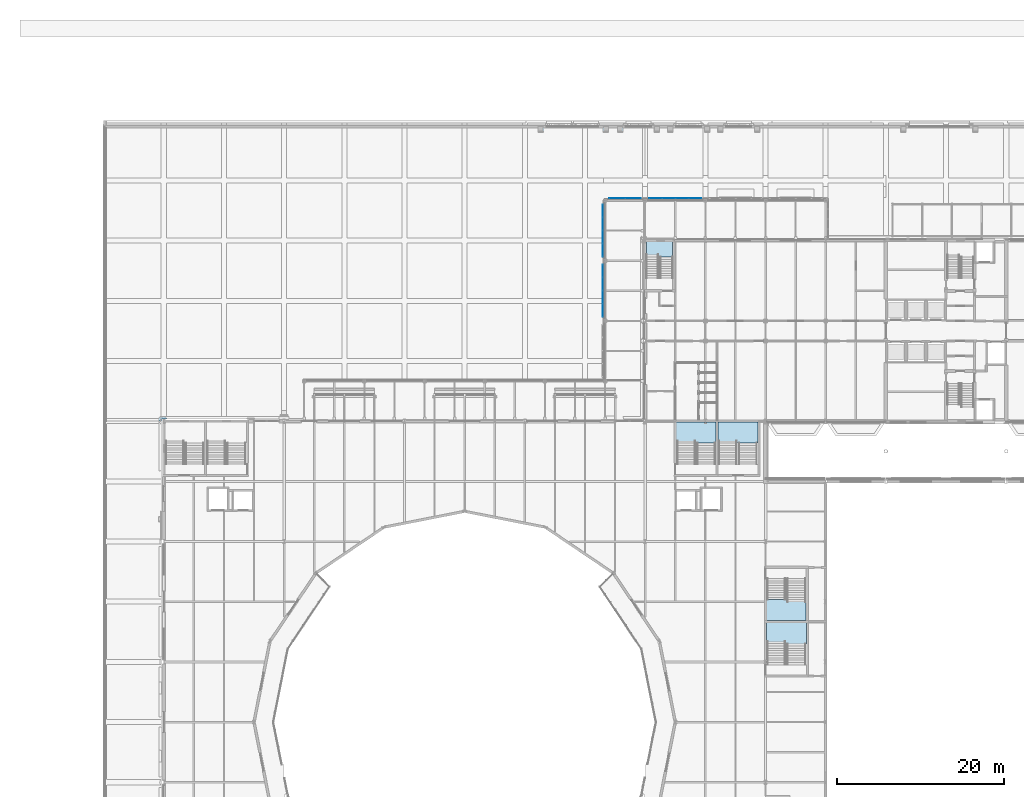
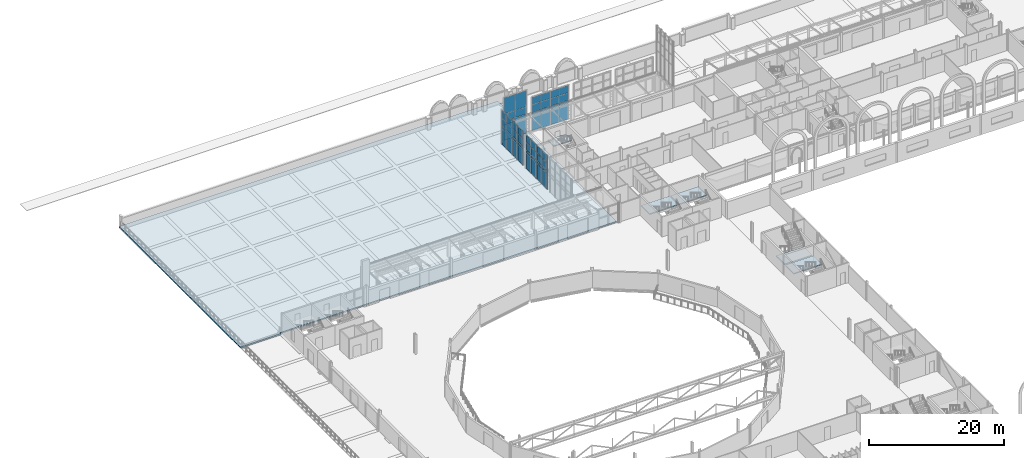
# One storey, part 65 of 143: 56 plates, 6 slabs, 9 elements without a shape of their own.
"""IFC4 building model written with IfcOpenShell, lengths in metres."""

from ifc_helpers import new_model, si_unit, direction, frame, origin, origin_2d, place, context, subcontext, project, spatial, polyline, rectangle, outline, extrude, material, layer, layer_set, type_object, element, aggregate, save


model = new_model("IFC4")

# Units and contexts
model_context = context("Model", 3, precision=1e-05, world=origin(), true_north=direction((0.0, 1.0)))
body_context = subcontext(model_context, "Body", "Model", "MODEL_VIEW")
ifc_project = project(units=[si_unit("LENGTHUNIT", "METRE"), si_unit("AREAUNIT", "SQUARE_METRE"), si_unit("VOLUMEUNIT", "CUBIC_METRE"), si_unit("PLANEANGLEUNIT", "RADIAN"), si_unit("MASSUNIT", "GRAM", prefix="KILO")], contexts=[model_context])

# Site, building, storey
site_placement = place(None, origin())
site = spatial("IfcSite", under=ifc_project, at=site_placement, CompositionType="ELEMENT")
building_placement = place(site_placement, origin())
building = spatial("IfcBuilding", under=site, at=building_placement, Name="Kupolbacken Congress Centre", CompositionType="ELEMENT")
storey_placement = place(building_placement, frame((0.0, 0.0, 7.199951171875)))
storey = spatial("IfcBuildingStorey", under=building, at=storey_placement, Name="L02", CompositionType="ELEMENT", Elevation=7.199951171875)

# Slab
ifc_material_1 = material(Name="Concrete C30/37", Category="concrete")
ifc_layer_1 = layer(ifc_material_1, 0.22998046875)
ifc_layer_set_1 = layer_set([ifc_layer_1], Name="Concrete C30/37")
slab_type_1 = type_object("IfcSlabType", Name="BS1 slab 230", PredefinedType="BASESLAB", material=ifc_layer_set_1)
slab_1_placement = place(storey_placement, frame((0.0, 0.0, -0.22998046875)))
element("IfcSlab", 1, at=slab_1_placement, inside=storey, type_object=slab_type_1, Name="S/platform/FORECOURT", PredefinedType="BASESLAB", context=body_context, shape_type="SweptSolid", body=[
    extrude(outline(polyline([(64.800048828125, 158.39892578125), (0.0009765625, 158.39892578125), (0.0009765625, 122.39990234375), (6.925048828125, 122.39990234375), (6.925048828125, 122.675048828125), (64.52490234375, 122.675048828125), (64.52490234375, 144.27490234375), (64.800048828125, 144.27490234375), (64.800048828125, 158.39892578125)])), origin(), (0.0, 0.0, 1.0), 0.22998046875),
])

# Curtain wall, plates
ifc_material_2 = material(Name="Aluminium mullion-transom frame with glass", Category="aluminium")
curtain_wall_type = type_object("IfcCurtainWallType", Name="CW1 curtain wall 7200x3600", PredefinedType="NOTDEFINED", material=ifc_material_2)
curtain_wall_1_placement = place(storey_placement, origin())
curtain_wall_1 = element("IfcCurtainWall", 2, at=curtain_wall_1_placement, inside=storey, type_object=curtain_wall_type, Name="E/T/portal/N/screen60/cw", PredefinedType="NOTDEFINED")
ifc_material_3 = material(Name="Glass", Category="glass")
ifc_layer_2 = layer(ifc_material_3, 0.035888671875)
ifc_layer_set_2 = layer_set([ifc_layer_2], Name="Glass")
plate_type = type_object("IfcPlateType", Name="GL2 glass panel 36", PredefinedType="CURTAIN_PANEL", material=ifc_layer_set_2)
plate_1_placement = place(storey_placement, frame((63.362548828125, 149.074951171875, 0.05029296875), z_axis=(0.0, 0.0, 1.0), x_axis=(-1.0, 0.0, 0.0)))
plate_1 = element("IfcPlate", 3, at=plate_1_placement, type_object=plate_type, Name="CW1 panel 1.1", PredefinedType="CURTAIN_PANEL", context=body_context, shape_type="SweptSolid", body=[
    extrude(rectangle(XDim=1.875, YDim=0.035888671875, at=origin_2d()), origin(), (0.0, 0.0, 1.0), 2.824951171875),
])
plate_2_placement = place(storey_placement, frame((63.362548828125, 149.074951171875, 2.925048828125), z_axis=(0.0, 0.0, 1.0), x_axis=(-1.0, 0.0, 0.0)))
plate_2 = element("IfcPlate", 4, at=plate_2_placement, type_object=plate_type, Name="CW1 panel 1.2", PredefinedType="CURTAIN_PANEL", context=body_context, shape_type="SweptSolid", body=[
    extrude(rectangle(XDim=1.875, YDim=0.035888671875, at=origin_2d()), origin(), (0.0, 0.0, 1.0), 0.5),
])
plate_3_placement = place(storey_placement, frame((63.362548828125, 149.074951171875, 3.47509765625), z_axis=(0.0, 0.0, 1.0), x_axis=(-1.0, 0.0, 0.0)))
plate_3 = element("IfcPlate", 5, at=plate_3_placement, type_object=plate_type, Name="CW1 panel 1.3", PredefinedType="CURTAIN_PANEL", context=body_context, shape_type="SweptSolid", body=[
    extrude(rectangle(XDim=1.875, YDim=0.035888671875, at=origin_2d()), origin(), (0.0, 0.0, 1.0), 1.300048828125),
])
plate_4_placement = place(storey_placement, frame((63.362548828125, 149.074951171875, 4.8251953125), z_axis=(0.0, 0.0, 1.0), x_axis=(-1.0, 0.0, 0.0)))
plate_4 = element("IfcPlate", 6, at=plate_4_placement, type_object=plate_type, Name="CW1 panel 1.4", PredefinedType="CURTAIN_PANEL", context=body_context, shape_type="SweptSolid", body=[
    extrude(rectangle(XDim=1.875, YDim=0.035888671875, at=origin_2d()), origin(), (0.0, 0.0, 1.0), 2.925048828125),
])
plate_5_placement = place(storey_placement, frame((61.4375, 149.074951171875, 0.05029296875), z_axis=(0.0, 0.0, 1.0), x_axis=(-1.0, 0.0, 0.0)))
plate_5 = element("IfcPlate", 7, at=plate_5_placement, type_object=plate_type, Name="CW1 panel 2.1", PredefinedType="CURTAIN_PANEL", context=body_context, shape_type="SweptSolid", body=[
    extrude(rectangle(XDim=1.875, YDim=0.035888671875, at=origin_2d()), origin(), (0.0, 0.0, 1.0), 2.824951171875),
])
plate_6_placement = place(storey_placement, frame((61.4375, 149.074951171875, 2.925048828125), z_axis=(0.0, 0.0, 1.0), x_axis=(-1.0, 0.0, 0.0)))
plate_6 = element("IfcPlate", 8, at=plate_6_placement, type_object=plate_type, Name="CW1 panel 2.2", PredefinedType="CURTAIN_PANEL", context=body_context, shape_type="SweptSolid", body=[
    extrude(rectangle(XDim=1.875, YDim=0.035888671875, at=origin_2d()), origin(), (0.0, 0.0, 1.0), 0.5),
])
plate_7_placement = place(storey_placement, frame((61.4375, 149.074951171875, 3.47509765625), z_axis=(0.0, 0.0, 1.0), x_axis=(-1.0, 0.0, 0.0)))
plate_7 = element("IfcPlate", 9, at=plate_7_placement, type_object=plate_type, Name="CW1 panel 2.3", PredefinedType="CURTAIN_PANEL", context=body_context, shape_type="SweptSolid", body=[
    extrude(rectangle(XDim=1.875, YDim=0.035888671875, at=origin_2d()), origin(), (0.0, 0.0, 1.0), 1.300048828125),
])
plate_8_placement = place(storey_placement, frame((61.4375, 149.074951171875, 4.8251953125), z_axis=(0.0, 0.0, 1.0), x_axis=(-1.0, 0.0, 0.0)))
plate_8 = element("IfcPlate", 10, at=plate_8_placement, type_object=plate_type, Name="CW1 panel 2.4", PredefinedType="CURTAIN_PANEL", context=body_context, shape_type="SweptSolid", body=[
    extrude(rectangle(XDim=1.875, YDim=0.035888671875, at=origin_2d()), origin(), (0.0, 0.0, 1.0), 2.925048828125),
])
aggregate(curtain_wall_1, [plate_1, plate_2, plate_3, plate_4, plate_5, plate_6, plate_7, plate_8])

curtain_wall_2_placement = place(storey_placement, origin())
curtain_wall_2 = element("IfcCurtainWall", 11, at=curtain_wall_2_placement, inside=storey, type_object=curtain_wall_type, Name="E/T/portal/N/screen64.8/cw", PredefinedType="NOTDEFINED")
plate_9_placement = place(storey_placement, frame((70.75, 149.074951171875, 0.05029296875), z_axis=(0.0, 0.0, 1.0), x_axis=(-1.0, 0.0, 0.0)))
plate_9 = element("IfcPlate", 12, at=plate_9_placement, type_object=plate_type, Name="CW1 panel 1.1", PredefinedType="CURTAIN_PANEL", context=body_context, shape_type="SweptSolid", body=[
    extrude(rectangle(XDim=1.5, YDim=0.035888671875, at=origin_2d()), origin(), (0.0, 0.0, 1.0), 2.824951171875),
])
plate_10_placement = place(storey_placement, frame((70.75, 149.074951171875, 2.925048828125), z_axis=(0.0, 0.0, 1.0), x_axis=(-1.0, 0.0, 0.0)))
plate_10 = element("IfcPlate", 13, at=plate_10_placement, type_object=plate_type, Name="CW1 panel 1.2", PredefinedType="CURTAIN_PANEL", context=body_context, shape_type="SweptSolid", body=[
    extrude(rectangle(XDim=1.5, YDim=0.035888671875, at=origin_2d()), origin(), (0.0, 0.0, 1.0), 0.5),
])
plate_11_placement = place(storey_placement, frame((70.75, 149.074951171875, 3.47509765625), z_axis=(0.0, 0.0, 1.0), x_axis=(-1.0, 0.0, 0.0)))
plate_11 = element("IfcPlate", 14, at=plate_11_placement, type_object=plate_type, Name="CW1 panel 1.3", PredefinedType="CURTAIN_PANEL", context=body_context, shape_type="SweptSolid", body=[
    extrude(rectangle(XDim=1.5, YDim=0.035888671875, at=origin_2d()), origin(), (0.0, 0.0, 1.0), 1.300048828125),
])
plate_12_placement = place(storey_placement, frame((70.75, 149.074951171875, 4.8251953125), z_axis=(0.0, 0.0, 1.0), x_axis=(-1.0, 0.0, 0.0)))
plate_12 = element("IfcPlate", 15, at=plate_12_placement, type_object=plate_type, Name="CW1 panel 1.4", PredefinedType="CURTAIN_PANEL", context=body_context, shape_type="SweptSolid", body=[
    extrude(rectangle(XDim=1.5, YDim=0.035888671875, at=origin_2d()), origin(), (0.0, 0.0, 1.0), 1.324951171875),
])
plate_13_placement = place(storey_placement, frame((69.1875, 149.074951171875, 0.05029296875), z_axis=(0.0, 0.0, 1.0), x_axis=(-1.0, 0.0, 0.0)))
plate_13 = element("IfcPlate", 16, at=plate_13_placement, type_object=plate_type, Name="CW1 panel 2.1", PredefinedType="CURTAIN_PANEL", context=body_context, shape_type="SweptSolid", body=[
    extrude(rectangle(XDim=1.52490234375, YDim=0.035888671875, at=origin_2d()), origin(), (0.0, 0.0, 1.0), 2.824951171875),
])
plate_14_placement = place(storey_placement, frame((69.1875, 149.074951171875, 2.925048828125), z_axis=(0.0, 0.0, 1.0), x_axis=(-1.0, 0.0, 0.0)))
plate_14 = element("IfcPlate", 17, at=plate_14_placement, type_object=plate_type, Name="CW1 panel 2.2", PredefinedType="CURTAIN_PANEL", context=body_context, shape_type="SweptSolid", body=[
    extrude(rectangle(XDim=1.52490234375, YDim=0.035888671875, at=origin_2d()), origin(), (0.0, 0.0, 1.0), 0.5),
])
plate_15_placement = place(storey_placement, frame((69.1875, 149.074951171875, 3.47509765625), z_axis=(0.0, 0.0, 1.0), x_axis=(-1.0, 0.0, 0.0)))
plate_15 = element("IfcPlate", 18, at=plate_15_placement, type_object=plate_type, Name="CW1 panel 2.3", PredefinedType="CURTAIN_PANEL", context=body_context, shape_type="SweptSolid", body=[
    extrude(rectangle(XDim=1.52490234375, YDim=0.035888671875, at=origin_2d()), origin(), (0.0, 0.0, 1.0), 1.300048828125),
])
plate_16_placement = place(storey_placement, frame((69.1875, 149.074951171875, 4.8251953125), z_axis=(0.0, 0.0, 1.0), x_axis=(-1.0, 0.0, 0.0)))
plate_16 = element("IfcPlate", 19, at=plate_16_placement, type_object=plate_type, Name="CW1 panel 2.4", PredefinedType="CURTAIN_PANEL", context=body_context, shape_type="SweptSolid", body=[
    extrude(rectangle(XDim=1.52490234375, YDim=0.035888671875, at=origin_2d()), origin(), (0.0, 0.0, 1.0), 1.324951171875),
])
plate_17_placement = place(storey_placement, frame((67.612548828125, 149.074951171875, 0.05029296875), z_axis=(0.0, 0.0, 1.0), x_axis=(-1.0, 0.0, 0.0)))
plate_17 = element("IfcPlate", 20, at=plate_17_placement, type_object=plate_type, Name="CW1 panel 3.1", PredefinedType="CURTAIN_PANEL", context=body_context, shape_type="SweptSolid", body=[
    extrude(rectangle(XDim=1.52490234375, YDim=0.035888671875, at=origin_2d()), origin(), (0.0, 0.0, 1.0), 2.824951171875),
])
plate_18_placement = place(storey_placement, frame((67.612548828125, 149.074951171875, 2.925048828125), z_axis=(0.0, 0.0, 1.0), x_axis=(-1.0, 0.0, 0.0)))
plate_18 = element("IfcPlate", 21, at=plate_18_placement, type_object=plate_type, Name="CW1 panel 3.2", PredefinedType="CURTAIN_PANEL", context=body_context, shape_type="SweptSolid", body=[
    extrude(rectangle(XDim=1.52490234375, YDim=0.035888671875, at=origin_2d()), origin(), (0.0, 0.0, 1.0), 0.5),
])
plate_19_placement = place(storey_placement, frame((67.612548828125, 149.074951171875, 3.47509765625), z_axis=(0.0, 0.0, 1.0), x_axis=(-1.0, 0.0, 0.0)))
plate_19 = element("IfcPlate", 22, at=plate_19_placement, type_object=plate_type, Name="CW1 panel 3.3", PredefinedType="CURTAIN_PANEL", context=body_context, shape_type="SweptSolid", body=[
    extrude(rectangle(XDim=1.52490234375, YDim=0.035888671875, at=origin_2d()), origin(), (0.0, 0.0, 1.0), 1.300048828125),
])
plate_20_placement = place(storey_placement, frame((67.612548828125, 149.074951171875, 4.8251953125), z_axis=(0.0, 0.0, 1.0), x_axis=(-1.0, 0.0, 0.0)))
plate_20 = element("IfcPlate", 23, at=plate_20_placement, type_object=plate_type, Name="CW1 panel 3.4", PredefinedType="CURTAIN_PANEL", context=body_context, shape_type="SweptSolid", body=[
    extrude(rectangle(XDim=1.52490234375, YDim=0.035888671875, at=origin_2d()), origin(), (0.0, 0.0, 1.0), 1.324951171875),
])
plate_21_placement = place(storey_placement, frame((66.050048828125, 149.074951171875, 0.05029296875), z_axis=(0.0, 0.0, 1.0), x_axis=(-1.0, 0.0, 0.0)))
plate_21 = element("IfcPlate", 24, at=plate_21_placement, type_object=plate_type, Name="CW1 panel 4.1", PredefinedType="CURTAIN_PANEL", context=body_context, shape_type="SweptSolid", body=[
    extrude(rectangle(XDim=1.5, YDim=0.035888671875, at=origin_2d()), origin(), (0.0, 0.0, 1.0), 2.824951171875),
])
plate_22_placement = place(storey_placement, frame((66.050048828125, 149.074951171875, 2.925048828125), z_axis=(0.0, 0.0, 1.0), x_axis=(-1.0, 0.0, 0.0)))
plate_22 = element("IfcPlate", 25, at=plate_22_placement, type_object=plate_type, Name="CW1 panel 4.2", PredefinedType="CURTAIN_PANEL", context=body_context, shape_type="SweptSolid", body=[
    extrude(rectangle(XDim=1.5, YDim=0.035888671875, at=origin_2d()), origin(), (0.0, 0.0, 1.0), 0.5),
])
plate_23_placement = place(storey_placement, frame((66.050048828125, 149.074951171875, 3.47509765625), z_axis=(0.0, 0.0, 1.0), x_axis=(-1.0, 0.0, 0.0)))
plate_23 = element("IfcPlate", 26, at=plate_23_placement, type_object=plate_type, Name="CW1 panel 4.3", PredefinedType="CURTAIN_PANEL", context=body_context, shape_type="SweptSolid", body=[
    extrude(rectangle(XDim=1.5, YDim=0.035888671875, at=origin_2d()), origin(), (0.0, 0.0, 1.0), 1.300048828125),
])
plate_24_placement = place(storey_placement, frame((66.050048828125, 149.074951171875, 4.8251953125), z_axis=(0.0, 0.0, 1.0), x_axis=(-1.0, 0.0, 0.0)))
plate_24 = element("IfcPlate", 27, at=plate_24_placement, type_object=plate_type, Name="CW1 panel 4.4", PredefinedType="CURTAIN_PANEL", context=body_context, shape_type="SweptSolid", body=[
    extrude(rectangle(XDim=1.5, YDim=0.035888671875, at=origin_2d()), origin(), (0.0, 0.0, 1.0), 1.324951171875),
])
aggregate(curtain_wall_2, [plate_9, plate_10, plate_11, plate_12, plate_13, plate_14, plate_15, plate_16, plate_17, plate_18, plate_19, plate_20, plate_21, plate_22, plate_23, plate_24])

curtain_wall_3_placement = place(storey_placement, origin())
curtain_wall_3 = element("IfcCurtainWall", 28, at=curtain_wall_3_placement, inside=storey, type_object=curtain_wall_type, Name="E/T/portal/W/screen134.4/cw", PredefinedType="NOTDEFINED")
plate_25_placement = place(storey_placement, frame((59.719970703125, 140.35009765625, 0.05029296875), z_axis=(0.0, 0.0, 1.0), x_axis=(0.0, -1.0, 0.0)))
plate_25 = element("IfcPlate", 29, at=plate_25_placement, type_object=plate_type, Name="CW1 panel 1.1", PredefinedType="CURTAIN_PANEL", context=body_context, shape_type="SweptSolid", body=[
    extrude(rectangle(XDim=1.5, YDim=0.035888671875, at=origin_2d()), origin(), (0.0, 0.0, 1.0), 2.824951171875),
])
plate_26_placement = place(storey_placement, frame((59.719970703125, 140.35009765625, 2.925048828125), z_axis=(0.0, 0.0, 1.0), x_axis=(0.0, -1.0, 0.0)))
plate_26 = element("IfcPlate", 30, at=plate_26_placement, type_object=plate_type, Name="CW1 panel 1.2", PredefinedType="CURTAIN_PANEL", context=body_context, shape_type="SweptSolid", body=[
    extrude(rectangle(XDim=1.5, YDim=0.035888671875, at=origin_2d()), origin(), (0.0, 0.0, 1.0), 0.5),
])
plate_27_placement = place(storey_placement, frame((59.719970703125, 140.35009765625, 3.47509765625), z_axis=(0.0, 0.0, 1.0), x_axis=(0.0, -1.0, 0.0)))
plate_27 = element("IfcPlate", 31, at=plate_27_placement, type_object=plate_type, Name="CW1 panel 1.3", PredefinedType="CURTAIN_PANEL", context=body_context, shape_type="SweptSolid", body=[
    extrude(rectangle(XDim=1.5, YDim=0.035888671875, at=origin_2d()), origin(), (0.0, 0.0, 1.0), 1.300048828125),
])
plate_28_placement = place(storey_placement, frame((59.719970703125, 140.35009765625, 4.8251953125), z_axis=(0.0, 0.0, 1.0), x_axis=(0.0, -1.0, 0.0)))
plate_28 = element("IfcPlate", 32, at=plate_28_placement, type_object=plate_type, Name="CW1 panel 1.4", PredefinedType="CURTAIN_PANEL", context=body_context, shape_type="SweptSolid", body=[
    extrude(rectangle(XDim=1.5, YDim=0.035888671875, at=origin_2d()), origin(), (0.0, 0.0, 1.0), 1.324951171875),
])
plate_29_placement = place(storey_placement, frame((59.719970703125, 138.78759765625, 0.05029296875), z_axis=(0.0, 0.0, 1.0), x_axis=(0.0, -1.0, 0.0)))
plate_29 = element("IfcPlate", 33, at=plate_29_placement, type_object=plate_type, Name="CW1 panel 2.1", PredefinedType="CURTAIN_PANEL", context=body_context, shape_type="SweptSolid", body=[
    extrude(rectangle(XDim=1.52490234375, YDim=0.035888671875, at=origin_2d()), origin(), (0.0, 0.0, 1.0), 2.824951171875),
])
plate_30_placement = place(storey_placement, frame((59.719970703125, 138.78759765625, 2.925048828125), z_axis=(0.0, 0.0, 1.0), x_axis=(0.0, -1.0, 0.0)))
plate_30 = element("IfcPlate", 34, at=plate_30_placement, type_object=plate_type, Name="CW1 panel 2.2", PredefinedType="CURTAIN_PANEL", context=body_context, shape_type="SweptSolid", body=[
    extrude(rectangle(XDim=1.52490234375, YDim=0.035888671875, at=origin_2d()), origin(), (0.0, 0.0, 1.0), 0.5),
])
plate_31_placement = place(storey_placement, frame((59.719970703125, 138.78759765625, 3.47509765625), z_axis=(0.0, 0.0, 1.0), x_axis=(0.0, -1.0, 0.0)))
plate_31 = element("IfcPlate", 35, at=plate_31_placement, type_object=plate_type, Name="CW1 panel 2.3", PredefinedType="CURTAIN_PANEL", context=body_context, shape_type="SweptSolid", body=[
    extrude(rectangle(XDim=1.52490234375, YDim=0.035888671875, at=origin_2d()), origin(), (0.0, 0.0, 1.0), 1.300048828125),
])
plate_32_placement = place(storey_placement, frame((59.719970703125, 138.78759765625, 4.8251953125), z_axis=(0.0, 0.0, 1.0), x_axis=(0.0, -1.0, 0.0)))
plate_32 = element("IfcPlate", 36, at=plate_32_placement, type_object=plate_type, Name="CW1 panel 2.4", PredefinedType="CURTAIN_PANEL", context=body_context, shape_type="SweptSolid", body=[
    extrude(rectangle(XDim=1.52490234375, YDim=0.035888671875, at=origin_2d()), origin(), (0.0, 0.0, 1.0), 1.324951171875),
])
plate_33_placement = place(storey_placement, frame((59.719970703125, 137.21240234375, 0.05029296875), z_axis=(0.0, 0.0, 1.0), x_axis=(0.0, -1.0, 0.0)))
plate_33 = element("IfcPlate", 37, at=plate_33_placement, type_object=plate_type, Name="CW1 panel 3.1", PredefinedType="CURTAIN_PANEL", context=body_context, shape_type="SweptSolid", body=[
    extrude(rectangle(XDim=1.52490234375, YDim=0.035888671875, at=origin_2d()), origin(), (0.0, 0.0, 1.0), 2.824951171875),
])
plate_34_placement = place(storey_placement, frame((59.719970703125, 137.21240234375, 2.925048828125), z_axis=(0.0, 0.0, 1.0), x_axis=(0.0, -1.0, 0.0)))
plate_34 = element("IfcPlate", 38, at=plate_34_placement, type_object=plate_type, Name="CW1 panel 3.2", PredefinedType="CURTAIN_PANEL", context=body_context, shape_type="SweptSolid", body=[
    extrude(rectangle(XDim=1.52490234375, YDim=0.035888671875, at=origin_2d()), origin(), (0.0, 0.0, 1.0), 0.5),
])
plate_35_placement = place(storey_placement, frame((59.719970703125, 137.21240234375, 3.47509765625), z_axis=(0.0, 0.0, 1.0), x_axis=(0.0, -1.0, 0.0)))
plate_35 = element("IfcPlate", 39, at=plate_35_placement, type_object=plate_type, Name="CW1 panel 3.3", PredefinedType="CURTAIN_PANEL", context=body_context, shape_type="SweptSolid", body=[
    extrude(rectangle(XDim=1.52490234375, YDim=0.035888671875, at=origin_2d()), origin(), (0.0, 0.0, 1.0), 1.300048828125),
])
plate_36_placement = place(storey_placement, frame((59.719970703125, 137.21240234375, 4.8251953125), z_axis=(0.0, 0.0, 1.0), x_axis=(0.0, -1.0, 0.0)))
plate_36 = element("IfcPlate", 40, at=plate_36_placement, type_object=plate_type, Name="CW1 panel 3.4", PredefinedType="CURTAIN_PANEL", context=body_context, shape_type="SweptSolid", body=[
    extrude(rectangle(XDim=1.52490234375, YDim=0.035888671875, at=origin_2d()), origin(), (0.0, 0.0, 1.0), 1.324951171875),
])
plate_37_placement = place(storey_placement, frame((59.719970703125, 135.64990234375, 0.05029296875), z_axis=(0.0, 0.0, 1.0), x_axis=(0.0, -1.0, 0.0)))
plate_37 = element("IfcPlate", 41, at=plate_37_placement, type_object=plate_type, Name="CW1 panel 4.1", PredefinedType="CURTAIN_PANEL", context=body_context, shape_type="SweptSolid", body=[
    extrude(rectangle(XDim=1.5, YDim=0.035888671875, at=origin_2d()), origin(), (0.0, 0.0, 1.0), 2.824951171875),
])
plate_38_placement = place(storey_placement, frame((59.719970703125, 135.64990234375, 2.925048828125), z_axis=(0.0, 0.0, 1.0), x_axis=(0.0, -1.0, 0.0)))
plate_38 = element("IfcPlate", 42, at=plate_38_placement, type_object=plate_type, Name="CW1 panel 4.2", PredefinedType="CURTAIN_PANEL", context=body_context, shape_type="SweptSolid", body=[
    extrude(rectangle(XDim=1.5, YDim=0.035888671875, at=origin_2d()), origin(), (0.0, 0.0, 1.0), 0.5),
])
plate_39_placement = place(storey_placement, frame((59.719970703125, 135.64990234375, 3.47509765625), z_axis=(0.0, 0.0, 1.0), x_axis=(0.0, -1.0, 0.0)))
plate_39 = element("IfcPlate", 43, at=plate_39_placement, type_object=plate_type, Name="CW1 panel 4.3", PredefinedType="CURTAIN_PANEL", context=body_context, shape_type="SweptSolid", body=[
    extrude(rectangle(XDim=1.5, YDim=0.035888671875, at=origin_2d()), origin(), (0.0, 0.0, 1.0), 1.300048828125),
])
plate_40_placement = place(storey_placement, frame((59.719970703125, 135.64990234375, 4.8251953125), z_axis=(0.0, 0.0, 1.0), x_axis=(0.0, -1.0, 0.0)))
plate_40 = element("IfcPlate", 44, at=plate_40_placement, type_object=plate_type, Name="CW1 panel 4.4", PredefinedType="CURTAIN_PANEL", context=body_context, shape_type="SweptSolid", body=[
    extrude(rectangle(XDim=1.5, YDim=0.035888671875, at=origin_2d()), origin(), (0.0, 0.0, 1.0), 1.324951171875),
])
aggregate(curtain_wall_3, [plate_25, plate_26, plate_27, plate_28, plate_29, plate_30, plate_31, plate_32, plate_33, plate_34, plate_35, plate_36, plate_37, plate_38, plate_39, plate_40])

curtain_wall_4_placement = place(storey_placement, origin())
curtain_wall_4 = element("IfcCurtainWall", 45, at=curtain_wall_4_placement, inside=storey, type_object=curtain_wall_type, Name="E/T/portal/W/screen141.6/cw", PredefinedType="NOTDEFINED")
plate_41_placement = place(storey_placement, frame((59.719970703125, 147.550048828125, 0.05029296875), z_axis=(0.0, 0.0, 1.0), x_axis=(0.0, -1.0, 0.0)))
plate_41 = element("IfcPlate", 46, at=plate_41_placement, type_object=plate_type, Name="CW1 panel 1.1", PredefinedType="CURTAIN_PANEL", context=body_context, shape_type="SweptSolid", body=[
    extrude(rectangle(XDim=1.5, YDim=0.035888671875, at=origin_2d()), origin(), (0.0, 0.0, 1.0), 2.824951171875),
])
plate_42_placement = place(storey_placement, frame((59.719970703125, 147.550048828125, 2.925048828125), z_axis=(0.0, 0.0, 1.0), x_axis=(0.0, -1.0, 0.0)))
plate_42 = element("IfcPlate", 47, at=plate_42_placement, type_object=plate_type, Name="CW1 panel 1.2", PredefinedType="CURTAIN_PANEL", context=body_context, shape_type="SweptSolid", body=[
    extrude(rectangle(XDim=1.5, YDim=0.035888671875, at=origin_2d()), origin(), (0.0, 0.0, 1.0), 0.5),
])
plate_43_placement = place(storey_placement, frame((59.719970703125, 147.550048828125, 3.47509765625), z_axis=(0.0, 0.0, 1.0), x_axis=(0.0, -1.0, 0.0)))
plate_43 = element("IfcPlate", 48, at=plate_43_placement, type_object=plate_type, Name="CW1 panel 1.3", PredefinedType="CURTAIN_PANEL", context=body_context, shape_type="SweptSolid", body=[
    extrude(rectangle(XDim=1.5, YDim=0.035888671875, at=origin_2d()), origin(), (0.0, 0.0, 1.0), 1.300048828125),
])
plate_44_placement = place(storey_placement, frame((59.719970703125, 147.550048828125, 4.8251953125), z_axis=(0.0, 0.0, 1.0), x_axis=(0.0, -1.0, 0.0)))
plate_44 = element("IfcPlate", 49, at=plate_44_placement, type_object=plate_type, Name="CW1 panel 1.4", PredefinedType="CURTAIN_PANEL", context=body_context, shape_type="SweptSolid", body=[
    extrude(rectangle(XDim=1.5, YDim=0.035888671875, at=origin_2d()), origin(), (0.0, 0.0, 1.0), 1.324951171875),
])
plate_45_placement = place(storey_placement, frame((59.719970703125, 145.987548828125, 0.05029296875), z_axis=(0.0, 0.0, 1.0), x_axis=(0.0, -1.0, 0.0)))
plate_45 = element("IfcPlate", 50, at=plate_45_placement, type_object=plate_type, Name="CW1 panel 2.1", PredefinedType="CURTAIN_PANEL", context=body_context, shape_type="SweptSolid", body=[
    extrude(rectangle(XDim=1.52490234375, YDim=0.035888671875, at=origin_2d()), origin(), (0.0, 0.0, 1.0), 2.824951171875),
])
plate_46_placement = place(storey_placement, frame((59.719970703125, 145.987548828125, 2.925048828125), z_axis=(0.0, 0.0, 1.0), x_axis=(0.0, -1.0, 0.0)))
plate_46 = element("IfcPlate", 51, at=plate_46_placement, type_object=plate_type, Name="CW1 panel 2.2", PredefinedType="CURTAIN_PANEL", context=body_context, shape_type="SweptSolid", body=[
    extrude(rectangle(XDim=1.52490234375, YDim=0.035888671875, at=origin_2d()), origin(), (0.0, 0.0, 1.0), 0.5),
])
plate_47_placement = place(storey_placement, frame((59.719970703125, 145.987548828125, 3.47509765625), z_axis=(0.0, 0.0, 1.0), x_axis=(0.0, -1.0, 0.0)))
plate_47 = element("IfcPlate", 52, at=plate_47_placement, type_object=plate_type, Name="CW1 panel 2.3", PredefinedType="CURTAIN_PANEL", context=body_context, shape_type="SweptSolid", body=[
    extrude(rectangle(XDim=1.52490234375, YDim=0.035888671875, at=origin_2d()), origin(), (0.0, 0.0, 1.0), 1.300048828125),
])
plate_48_placement = place(storey_placement, frame((59.719970703125, 145.987548828125, 4.8251953125), z_axis=(0.0, 0.0, 1.0), x_axis=(0.0, -1.0, 0.0)))
plate_48 = element("IfcPlate", 53, at=plate_48_placement, type_object=plate_type, Name="CW1 panel 2.4", PredefinedType="CURTAIN_PANEL", context=body_context, shape_type="SweptSolid", body=[
    extrude(rectangle(XDim=1.52490234375, YDim=0.035888671875, at=origin_2d()), origin(), (0.0, 0.0, 1.0), 1.324951171875),
])
plate_49_placement = place(storey_placement, frame((59.719970703125, 144.41259765625, 0.05029296875), z_axis=(0.0, 0.0, 1.0), x_axis=(0.0, -1.0, 0.0)))
plate_49 = element("IfcPlate", 54, at=plate_49_placement, type_object=plate_type, Name="CW1 panel 3.1", PredefinedType="CURTAIN_PANEL", context=body_context, shape_type="SweptSolid", body=[
    extrude(rectangle(XDim=1.52490234375, YDim=0.035888671875, at=origin_2d()), origin(), (0.0, 0.0, 1.0), 2.824951171875),
])
plate_50_placement = place(storey_placement, frame((59.719970703125, 144.41259765625, 2.925048828125), z_axis=(0.0, 0.0, 1.0), x_axis=(0.0, -1.0, 0.0)))
plate_50 = element("IfcPlate", 55, at=plate_50_placement, type_object=plate_type, Name="CW1 panel 3.2", PredefinedType="CURTAIN_PANEL", context=body_context, shape_type="SweptSolid", body=[
    extrude(rectangle(XDim=1.52490234375, YDim=0.035888671875, at=origin_2d()), origin(), (0.0, 0.0, 1.0), 0.5),
])
plate_51_placement = place(storey_placement, frame((59.719970703125, 144.41259765625, 3.47509765625), z_axis=(0.0, 0.0, 1.0), x_axis=(0.0, -1.0, 0.0)))
plate_51 = element("IfcPlate", 56, at=plate_51_placement, type_object=plate_type, Name="CW1 panel 3.3", PredefinedType="CURTAIN_PANEL", context=body_context, shape_type="SweptSolid", body=[
    extrude(rectangle(XDim=1.52490234375, YDim=0.035888671875, at=origin_2d()), origin(), (0.0, 0.0, 1.0), 1.300048828125),
])
plate_52_placement = place(storey_placement, frame((59.719970703125, 144.41259765625, 4.8251953125), z_axis=(0.0, 0.0, 1.0), x_axis=(0.0, -1.0, 0.0)))
plate_52 = element("IfcPlate", 57, at=plate_52_placement, type_object=plate_type, Name="CW1 panel 3.4", PredefinedType="CURTAIN_PANEL", context=body_context, shape_type="SweptSolid", body=[
    extrude(rectangle(XDim=1.52490234375, YDim=0.035888671875, at=origin_2d()), origin(), (0.0, 0.0, 1.0), 1.324951171875),
])
plate_53_placement = place(storey_placement, frame((59.719970703125, 142.85009765625, 0.05029296875), z_axis=(0.0, 0.0, 1.0), x_axis=(0.0, -1.0, 0.0)))
plate_53 = element("IfcPlate", 58, at=plate_53_placement, type_object=plate_type, Name="CW1 panel 4.1", PredefinedType="CURTAIN_PANEL", context=body_context, shape_type="SweptSolid", body=[
    extrude(rectangle(XDim=1.5, YDim=0.035888671875, at=origin_2d()), origin(), (0.0, 0.0, 1.0), 2.824951171875),
])
plate_54_placement = place(storey_placement, frame((59.719970703125, 142.85009765625, 2.925048828125), z_axis=(0.0, 0.0, 1.0), x_axis=(0.0, -1.0, 0.0)))
plate_54 = element("IfcPlate", 59, at=plate_54_placement, type_object=plate_type, Name="CW1 panel 4.2", PredefinedType="CURTAIN_PANEL", context=body_context, shape_type="SweptSolid", body=[
    extrude(rectangle(XDim=1.5, YDim=0.035888671875, at=origin_2d()), origin(), (0.0, 0.0, 1.0), 0.5),
])
plate_55_placement = place(storey_placement, frame((59.719970703125, 142.85009765625, 3.47509765625), z_axis=(0.0, 0.0, 1.0), x_axis=(0.0, -1.0, 0.0)))
plate_55 = element("IfcPlate", 60, at=plate_55_placement, type_object=plate_type, Name="CW1 panel 4.3", PredefinedType="CURTAIN_PANEL", context=body_context, shape_type="SweptSolid", body=[
    extrude(rectangle(XDim=1.5, YDim=0.035888671875, at=origin_2d()), origin(), (0.0, 0.0, 1.0), 1.300048828125),
])
plate_56_placement = place(storey_placement, frame((59.719970703125, 142.85009765625, 4.8251953125), z_axis=(0.0, 0.0, 1.0), x_axis=(0.0, -1.0, 0.0)))
plate_56 = element("IfcPlate", 61, at=plate_56_placement, type_object=plate_type, Name="CW1 panel 4.4", PredefinedType="CURTAIN_PANEL", context=body_context, shape_type="SweptSolid", body=[
    extrude(rectangle(XDim=1.5, YDim=0.035888671875, at=origin_2d()), origin(), (0.0, 0.0, 1.0), 1.324951171875),
])
aggregate(curtain_wall_4, [plate_41, plate_42, plate_43, plate_44, plate_45, plate_46, plate_47, plate_48, plate_49, plate_50, plate_51, plate_52, plate_53, plate_54, plate_55, plate_56])

# Stair, slab
ifc_material_4 = material(Name="Steel S355", Category="steel")
stair_type_1 = type_object("IfcStairType", Name="ST2 stair 1500", PredefinedType="TWO_STRAIGHT_RUN_STAIR", material=ifc_material_4)
stair_1_placement = place(storey_placement, origin())
stair_1 = element("IfcStair", 62, at=stair_1_placement, inside=storey, type_object=stair_type_1, Name="C/stair/TS3/L02", PredefinedType="NOTDEFINED")
ifc_material_5 = material(Name="Concrete C30/37 precast", Category="concrete")
ifc_layer_3 = layer(ifc_material_5, 0.175048828125)
ifc_layer_set_3 = layer_set([ifc_layer_3], Name="Concrete C30/37 precast")
slab_type_2 = type_object("IfcSlabType", Name="SL1 slab 175", PredefinedType="LANDING", material=ifc_layer_set_3)
slab_2_placement = place(storey_placement, frame((0.0, 0.0, 1.539306640625)))
slab_2 = element("IfcSlab", 63, at=slab_2_placement, type_object=slab_type_2, Name="TS3 landing 1", PredefinedType="LANDING", context=body_context, shape_type="SweptSolid", body=[
    extrude(outline(polyline([(64.929931640625, 142.044921875), (68.070068359375, 142.044921875), (68.070068359375, 143.8701171875), (64.929931640625, 143.8701171875), (64.929931640625, 142.044921875)])), origin(), (0.0, 0.0, 1.0), 0.175048828125),
])
aggregate(stair_1, [slab_2])

ifc_material_6 = material(Name="Concrete C30/37", Category="concrete")
stair_type_2 = type_object("IfcStairType", Name="ST13 stair 2200", PredefinedType="TWO_STRAIGHT_RUN_STAIR", material=ifc_material_6)
stair_2_placement = place(storey_placement, origin())
stair_2 = element("IfcStair", 64, at=stair_2_placement, inside=storey, type_object=stair_type_2, Name="C/stair/PS1NE/L02", PredefinedType="NOTDEFINED")
ifc_material_7 = material(Name="Concrete C30/37", Category="concrete")
ifc_layer_4 = layer(ifc_material_7, 0.175048828125)
ifc_material_8 = material(Name="Limestone", Category="masonry")
ifc_layer_5 = layer(ifc_material_8, 0.030029296875)
ifc_layer_set_4 = layer_set([ifc_layer_4, ifc_layer_5], Name="Concrete C30/37 / Limestone")
slab_type_3 = type_object("IfcSlabType", Name="SL2 slab 205", PredefinedType="LANDING", material=ifc_layer_set_4)
slab_3_placement = place(storey_placement, frame((0.0, 0.0, 1.50927734375)))
slab_3 = element("IfcSlab", 65, at=slab_3_placement, type_object=slab_type_3, Name="PS1NE landing 1", PredefinedType="LANDING", context=body_context, shape_type="SweptSolid", body=[
    extrude(outline(polyline([(68.5048828125, 119.77001953125), (73.294921875, 119.77001953125), (73.294921875, 122.294921875), (68.5048828125, 122.294921875), (68.5048828125, 119.77001953125)])), origin(), (0.0, 0.0, 1.0), 0.205078125),
])
aggregate(stair_2, [slab_3])

stair_3_placement = place(storey_placement, origin())
stair_3 = element("IfcStair", 66, at=stair_3_placement, inside=storey, type_object=stair_type_2, Name="C/stair/PS2NE/L02", PredefinedType="NOTDEFINED")
slab_4_placement = place(storey_placement, frame((0.0, 0.0, 1.50927734375)))
slab_4 = element("IfcSlab", 67, at=slab_4_placement, type_object=slab_type_3, Name="PS2NE landing 1", PredefinedType="LANDING", context=body_context, shape_type="SweptSolid", body=[
    extrude(outline(polyline([(73.5048828125, 119.77001953125), (78.294921875, 119.77001953125), (78.294921875, 122.294921875), (73.5048828125, 122.294921875), (73.5048828125, 119.77001953125)])), origin(), (0.0, 0.0, 1.0), 0.205078125),
])
aggregate(stair_3, [slab_4])

stair_4_placement = place(storey_placement, origin())
stair_4 = element("IfcStair", 68, at=stair_4_placement, inside=storey, type_object=stair_type_2, Name="C/stair/LS4/L02", PredefinedType="NOTDEFINED")
slab_5_placement = place(storey_placement, frame((0.0, 0.0, 1.50927734375)))
slab_5 = element("IfcSlab", 69, at=slab_5_placement, type_object=slab_type_3, Name="LS4 landing 1", PredefinedType="LANDING", context=body_context, shape_type="SweptSolid", body=[
    extrude(outline(polyline([(79.304931640625, 95.77001953125), (84.094970703125, 95.77001953125), (84.094970703125, 98.294921875), (79.304931640625, 98.294921875), (79.304931640625, 95.77001953125)])), origin(), (0.0, 0.0, 1.0), 0.205078125),
])
aggregate(stair_4, [slab_5])

stair_5_placement = place(storey_placement, origin())
stair_5 = element("IfcStair", 70, at=stair_5_placement, inside=storey, type_object=stair_type_2, Name="C/stair/LS2/L02", PredefinedType="NOTDEFINED")
slab_6_placement = place(storey_placement, frame((0.0, 0.0, 1.50927734375)))
slab_6 = element("IfcSlab", 71, at=slab_6_placement, type_object=slab_type_3, Name="LS2 landing 1", PredefinedType="LANDING", context=body_context, shape_type="SweptSolid", body=[
    extrude(outline(polyline([(79.330078125, 98.530029296875), (84.070068359375, 98.530029296875), (84.070068359375, 101.054931640625), (79.330078125, 101.054931640625), (79.330078125, 98.530029296875)])), origin(), (0.0, 0.0, 1.0), 0.205078125),
])
aggregate(stair_5, [slab_6])

save(model, "model.ifc")
